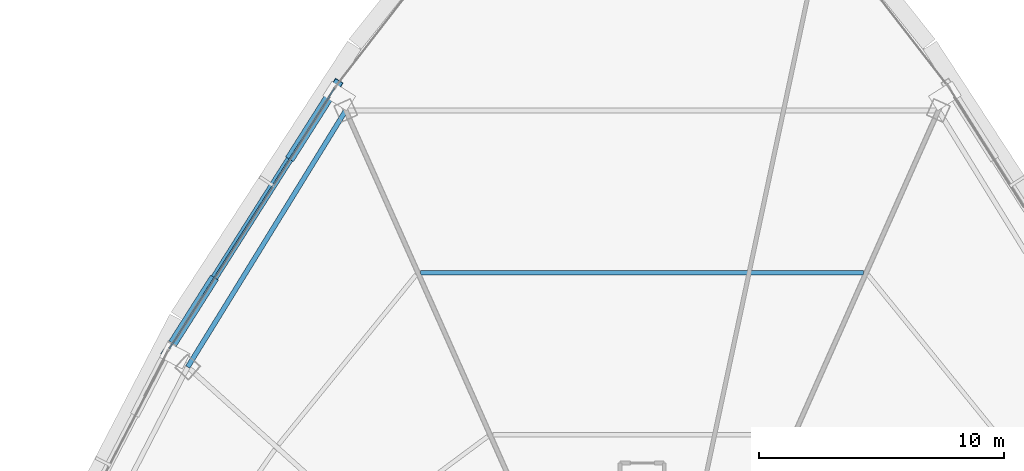
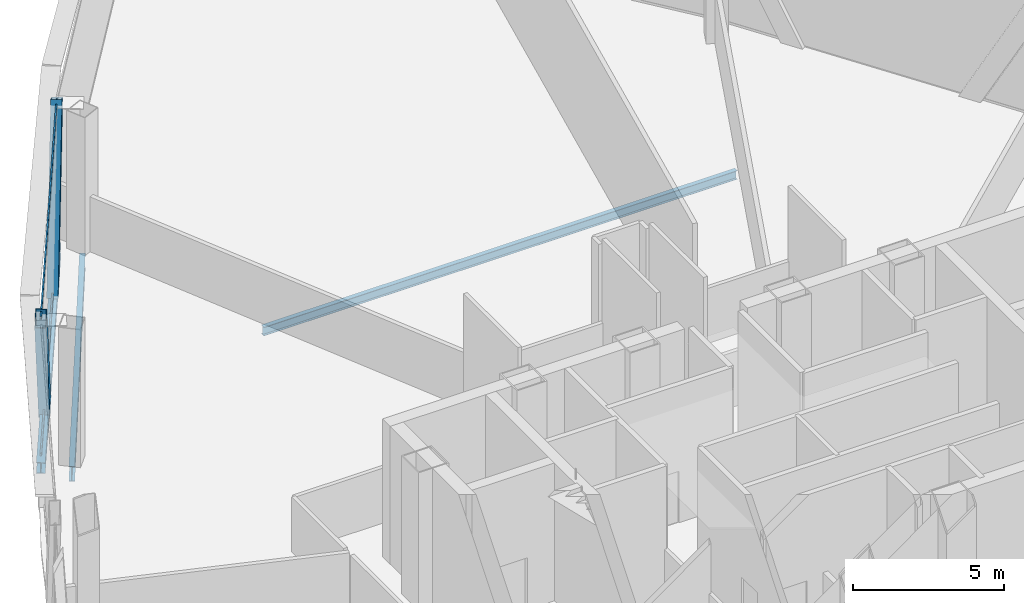
# One storey, part 19 of 33: 4 members, 3 beams, 1 element without a shape of its own.
"""IFC4 building model written with IfcOpenShell, lengths in metres."""

from ifc_helpers import new_model, si_unit, direction, frame, origin, origin_2d, place, context, subcontext, project, spatial, hollow_rectangle, i_section, extrude, source, transform, mapped, material, layer, layer_set, material_profile, profile_set, type_object, element, aggregate, save


model = new_model("IFC4")

# Units and contexts
model_context = context("Model", 3, precision=1e-05, world=origin(), true_north=direction((0.0, 1.0)))
body_context = subcontext(model_context, "Body", "Model", "MODEL_VIEW")
ifc_project = project(units=[si_unit("LENGTHUNIT", "METRE"), si_unit("AREAUNIT", "SQUARE_METRE"), si_unit("VOLUMEUNIT", "CUBIC_METRE"), si_unit("PLANEANGLEUNIT", "RADIAN"), si_unit("MASSUNIT", "GRAM", prefix="KILO"), si_unit("THERMODYNAMICTEMPERATUREUNIT", "KELVIN"), si_unit("POWERUNIT", "WATT")], contexts=[model_context])

# Site, building, storey
site_placement = place(None, origin())
site = spatial("IfcSite", under=ifc_project, at=site_placement, CompositionType="ELEMENT")
building_placement = place(site_placement, origin())
building = spatial("IfcBuilding", under=site, at=building_placement, Name="Yunzhuo Pagoda Commons", CompositionType="ELEMENT")
storey_placement = place(building_placement, frame((0.0, 0.0, 314.860107421875)))
storey = spatial("IfcBuildingStorey", under=building, at=storey_placement, Name="L79", CompositionType="ELEMENT", Elevation=314.860107421875)

# Beams
ifc_material_1 = material(Name="Structural steel Q355B", Category="steel")
ifc_material_profile_1 = material_profile(ifc_material_1, i_section(OverallWidth=0.199951171875, OverallDepth=0.60009765625, WebThickness=0.010986328125, FlangeThickness=0.01708984375, at=origin_2d()), Name="Structural steel Q355B")
ifc_profile_set_1 = profile_set([ifc_material_profile_1], Name="Structural steel Q355B")
beam_type_1 = type_object("IfcBeamType", Name="B-RG3 Beam HN 600x200x11x17", PredefinedType="BEAM", material=ifc_profile_set_1)
shared_shape_1 = source(origin(), body_context, "Body", "SweptSolid", [
    extrude(i_section(OverallWidth=0.199951171875, OverallDepth=0.60009765625, WebThickness=0.010986328125, FlangeThickness=0.01708984375, at=origin_2d()), origin(), (0.0, 0.0, 1.0), 12.315185546875),
])
beam_1_placement = place(storey_placement, frame((35.8857421875, 60.9091796875, -0.56005859375), z_axis=(-0.524469015689, -0.851429534126, 0.0), x_axis=(0.851429534126, -0.524469015689, 0.0)))
element("IfcBeam", 1, at=beam_1_placement, inside=storey, type_object=beam_type_1, Name="L79 column-ring beam 9", PredefinedType="BEAM", context=body_context, shape_type="MappedRepresentation", body=[
    mapped(shared_shape_1, transform((0.0, 0.0, 0.0), scale=1.0)),
])
ifc_material_profile_2 = material_profile(ifc_material_1, i_section(OverallWidth=0.175048828125, OverallDepth=0.35009765625, WebThickness=0.007080078125, FlangeThickness=0.010986328125, at=origin_2d()), Name="Structural steel Q355B")
ifc_profile_set_2 = profile_set([ifc_material_profile_2], Name="Structural steel Q355B")
beam_type_2 = type_object("IfcBeamType", Name="B-JS2 Joist HN 350x175x7x11", PredefinedType="JOIST", material=ifc_profile_set_2)
shared_shape_2 = source(origin(), body_context, "Body", "SweptSolid", [
    extrude(i_section(OverallWidth=0.175048828125, OverallDepth=0.35009765625, WebThickness=0.007080078125, FlangeThickness=0.010986328125, at=origin_2d()), origin(), (0.0, 0.0, 1.0), 18.09765625),
])
beam_2_placement = place(storey_placement, frame((57.048828125, 54.2822265625, -0.43505859375), z_axis=(-1.0, 0.0, 0.0), x_axis=(0.0, -1.0, 0.0)))
element("IfcBeam", 2, at=beam_2_placement, inside=storey, type_object=beam_type_2, Name="L79 composite ring joist 2.8", PredefinedType="JOIST", context=body_context, shape_type="MappedRepresentation", body=[
    mapped(shared_shape_2, transform((0.0, 0.0, 0.0), scale=1.0)),
])
ifc_material_profile_3 = material_profile(ifc_material_1, i_section(OverallWidth=0.300048828125, OverallDepth=0.43994140625, WebThickness=0.010986328125, FlangeThickness=0.01806640625, at=origin_2d()), Name="Structural steel Q355B")
ifc_profile_set_3 = profile_set([ifc_material_profile_3], Name="Structural steel Q355B")
beam_type_3 = type_object("IfcBeamType", Name="B-SP2 Beam HM 440x300x11x18", PredefinedType="BEAM", material=ifc_profile_set_3)
shared_shape_3 = source(origin(), body_context, "Body", "SweptSolid", [
    extrude(i_section(OverallWidth=0.300048828125, OverallDepth=0.43994140625, WebThickness=0.010986328125, FlangeThickness=0.01806640625, at=origin_2d()), origin(), (0.0, 0.0, 1.0), 12.72021484375),
])
beam_3_placement = place(storey_placement, frame((35.45849609375, 61.868408203125, -0.480224609375), z_axis=(-0.535527335228, -0.844517893963, 0.0), x_axis=(0.844517893963, -0.535527335228, 0.0)))
element("IfcBeam", 3, at=beam_3_placement, inside=storey, type_object=beam_type_3, Name="L79 facade edge spandrel beam F3.1", PredefinedType="BEAM", context=body_context, shape_type="MappedRepresentation", body=[
    mapped(shared_shape_3, transform((0.0, 0.0, 0.0), scale=1.0)),
])

# Members
ifc_material_profile_4 = material_profile(ifc_material_1, hollow_rectangle(XDim=0.3798828125, YDim=0.719970703125, WallThickness=0.02001953125, at=origin_2d()), Name="Structural steel Q355B")
ifc_profile_set_4 = profile_set([ifc_material_profile_4], Name="Structural steel Q355B")
member_type_1 = type_object("IfcMemberType", Name="M-DL3 Brace BOX 720x380x20", PredefinedType="BRACE", material=ifc_profile_set_4)
shared_shape_4 = source(origin(), body_context, "Body", "SweptSolid", [
    extrude(hollow_rectangle(XDim=0.3798828125, YDim=0.719970703125, WallThickness=0.02001953125, at=origin_2d()), origin(), (0.0, 0.0, 1.0), 6.640625),
])
for number, where, z_axis, x_axis, name in (
    (4, (33.755615234375, 59.182861328125, -0.260009765625), (0.256430831322, 0.404407045813, 0.877894167906), (-0.84452975048, 0.535508637236, 0.0), "L79 facade diamond brace F3.1L"),
    (5, (30.349365234375, 53.8115234375, -0.260009765625), (-0.256430831322, -0.404407045813, 0.877894167906), (0.84452975048, -0.535508637236, 0.0), "L79 facade diamond brace F3.1R"),
):
    element("IfcMember", number, at=place(storey_placement, frame(where, z_axis=z_axis, x_axis=x_axis)), inside=storey, type_object=member_type_1, Name=name, PredefinedType="BRACE", context=body_context, shape_type="MappedRepresentation", body=[
        mapped(shared_shape_4, transform((0.0, 0.0, 0.0), scale=1.0)),
    ])

# Curtain wall, members
ifc_material_2 = material(Name="Anodized aluminium 6063-T6", Category="aluminium")
ifc_layer = layer(ifc_material_2, 0.139892578125)
ifc_layer_set = layer_set([ifc_layer], Name="Anodized aluminium 6063-T6")
curtain_wall_type = type_object("IfcCurtainWallType", Name="CW-HI High-Zone Ribbon Curtain Wall", PredefinedType="NOTDEFINED", material=ifc_layer_set)
curtain_wall_placement = place(storey_placement, origin())
curtain_wall = element("IfcCurtainWall", 6, at=curtain_wall_placement, inside=storey, type_object=curtain_wall_type, Name="L79 curtain wall CW-L79-F3B2", PredefinedType="NOTDEFINED")
ifc_material_profile_5 = material_profile(ifc_material_2, hollow_rectangle(XDim=0.054931640625, YDim=0.1201171875, WallThickness=0.00341796875, at=origin_2d()), Name="Anodized aluminium 6063-T6")
ifc_profile_set_5 = profile_set([ifc_material_profile_5], Name="Anodized aluminium 6063-T6")
member_type_2 = type_object("IfcMemberType", Name="CW-HI-T Transom RHS 120x55x3.5", PredefinedType="USERDEFINED", material=ifc_profile_set_5)
shared_shape_5 = source(origin(), body_context, "Body", "SweptSolid", [
    extrude(hollow_rectangle(XDim=0.054931640625, YDim=0.1201171875, WallThickness=0.00341796875, at=origin_2d()), origin(), (0.0, 0.0, 1.0), 12.600341796875),
])
member_1_placement = place(storey_placement, frame((35.426513671875, 61.81787109375, 0.02734375), z_axis=(-0.535543373516, -0.844507723519, 0.0), x_axis=(0.844507723519, -0.535543373516, 0.0)))
member_1 = element("IfcMember", 7, at=member_1_placement, type_object=member_type_2, Name="CW transom 1.1", ObjectType="TRANSOM", PredefinedType="USERDEFINED", context=body_context, shape_type="MappedRepresentation", body=[
    mapped(shared_shape_5, transform((0.0, 0.0, 0.0), scale=1.0)),
])
member_2_placement = place(storey_placement, frame((35.426513671875, 61.81787109375, 5.54248046875), z_axis=(-0.535543373516, -0.844507723519, 0.0), x_axis=(0.844507723519, -0.535543373516, 0.0)))
member_2 = element("IfcMember", 8, at=member_2_placement, type_object=member_type_2, Name="CW transom 1.2", ObjectType="TRANSOM", PredefinedType="USERDEFINED", context=body_context, shape_type="MappedRepresentation", body=[
    mapped(shared_shape_5, transform((0.0, 0.0, 0.0), scale=1.0)),
])
aggregate(curtain_wall, [member_1, member_2])

save(model, "model.ifc")
